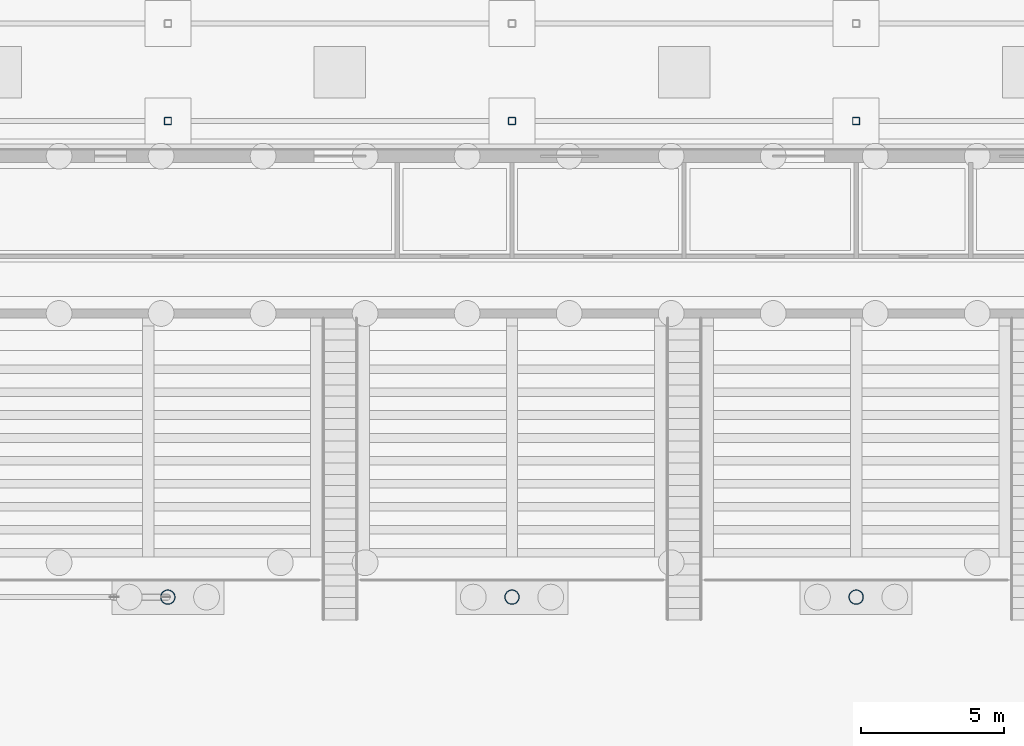
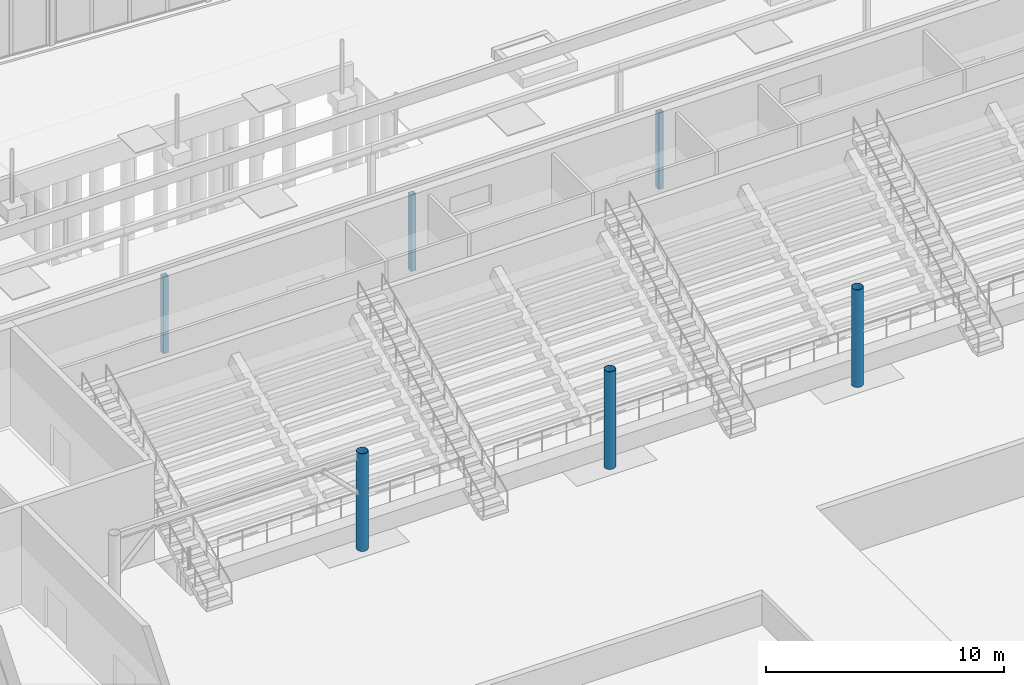
# One storey, part 14 of 157: 6 columns.
"""IFC4 building model written with IfcOpenShell, lengths in metres."""

from ifc_helpers import new_model, si_unit, direction, frame, origin, origin_2d, place, context, subcontext, project, spatial, hollow_rectangle, hollow_circle, extrude, material, material_profile, profile_set, type_object, element, save


model = new_model("IFC4")

# Units and contexts
model_context = context("Model", 3, precision=1e-05, world=origin(), true_north=direction((0.0, 1.0)))
body_context = subcontext(model_context, "Body", "Model", "MODEL_VIEW")
ifc_project = project(units=[si_unit("LENGTHUNIT", "METRE"), si_unit("AREAUNIT", "SQUARE_METRE"), si_unit("VOLUMEUNIT", "CUBIC_METRE"), si_unit("PLANEANGLEUNIT", "RADIAN"), si_unit("MASSUNIT", "GRAM", prefix="KILO")], contexts=[model_context])

# Site, building, storey
site_placement = place(None, origin())
site = spatial("IfcSite", under=ifc_project, at=site_placement, CompositionType="ELEMENT")
building_placement = place(site_placement, origin())
building = spatial("IfcBuilding", under=site, at=building_placement, Name="Windward Yard Aquatics Centre", CompositionType="ELEMENT")
storey_placement = place(building_placement, origin())
storey = spatial("IfcBuildingStorey", under=building, at=storey_placement, Name="L00", CompositionType="ELEMENT", Elevation=0.0)

# Columns
ifc_material = material(Name="Steel ASTM A500 Gr C", Category="steel")
ifc_material_profile_1 = material_profile(ifc_material, hollow_rectangle(XDim=0.25390625, YDim=0.25390625, WallThickness=0.0126953125, InnerFilletRadius=0.00634765625, OuterFilletRadius=0.01904296875, at=origin_2d()), Name="HSS254X254X12.7")
ifc_profile_set_1 = profile_set([ifc_material_profile_1], Name="Steel ASTM A500 Gr C")
column_type_1 = type_object("IfcColumnType", Name="A column HSS254X254X12.7", PredefinedType="COLUMN", material=ifc_profile_set_1)
for number, where, z_axis, x_axis, name in (
    (1, (72.0, 97.0, 0.0), (0.0, 0.0, 1.0), (1.0, 0.0, 0.0), "A.COL.L00.3.1"),
    (2, (84.0, 97.0, 0.0), (0.0, 0.0, 1.0), (1.0, 0.0, 0.0), "A.COL.L00.4.1"),
    (3, (96.0, 97.0, 0.0), (0.0, 0.0, 1.0), (1.0, 0.0, 0.0), "A.COL.L00.5.1"),
):
    element("IfcColumn", number, at=place(storey_placement, frame(where, z_axis=z_axis, x_axis=x_axis)), inside=storey, type_object=column_type_1, Name=name, PredefinedType="COLUMN", context=body_context, shape_type="SweptSolid", body=[
        extrude(hollow_rectangle(XDim=0.25390625, YDim=0.25390625, WallThickness=0.0126953125, InnerFilletRadius=0.00634765625, OuterFilletRadius=0.01904296875, at=origin_2d()), origin(), (0.0, 0.0, 1.0), 3.93310546875),
    ])
ifc_material_profile_2 = material_profile(ifc_material, hollow_circle(Radius=0.25390625, WallThickness=0.015869140625, at=origin_2d()), Name="HSS508X15.9")
ifc_profile_set_2 = profile_set([ifc_material_profile_2], Name="Steel ASTM A500 Gr C")
column_type_2 = type_object("IfcColumnType", Name="H arch column HSS508X15.9", PredefinedType="COLUMN", material=ifc_profile_set_2)
for number, where, z_axis, x_axis, name in (
    (4, (72.0, 80.39990234375, 0.0), (0.0, 0.0, 1.0), (1.0, 0.0, 0.0), "H.AC.N2.L00"),
    (5, (84.0, 80.39990234375, 0.0), (0.0, 0.0, 1.0), (1.0, 0.0, 0.0), "H.AC.N3.L00"),
    (6, (96.0, 80.39990234375, 0.0), (0.0, 0.0, 1.0), (1.0, 0.0, 0.0), "H.AC.N4.L00"),
):
    element("IfcColumn", number, at=place(storey_placement, frame(where, z_axis=z_axis, x_axis=x_axis)), inside=storey, type_object=column_type_2, Name=name, PredefinedType="COLUMN", context=body_context, shape_type="SweptSolid", body=[
        extrude(hollow_circle(Radius=0.25390625, WallThickness=0.015869140625, at=origin_2d()), origin(), (0.0, 0.0, 1.0), 5.0),
    ])

save(model, "model.ifc")
